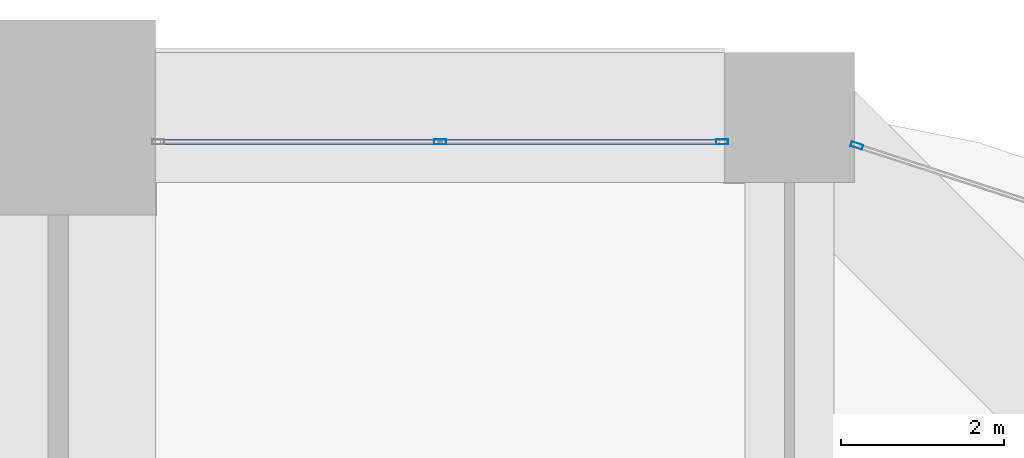
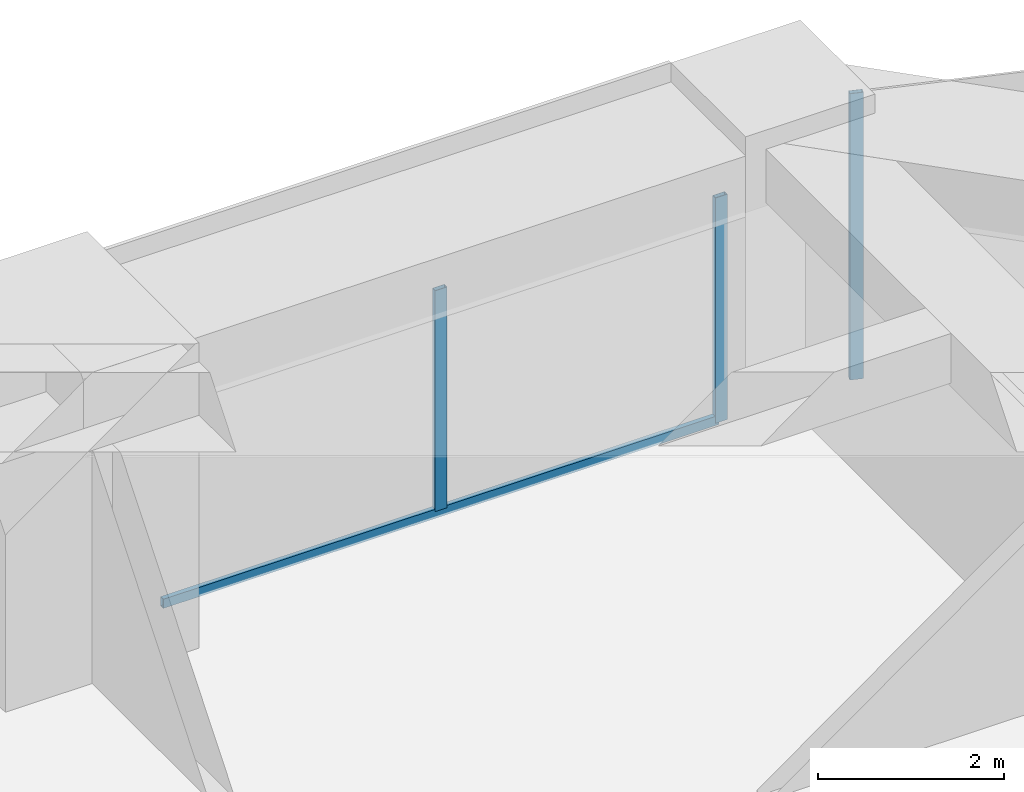
# One storey, part 35 of 42: 4 members, 2 elements without a shape of their own.
"""IFC4 building model written with IfcOpenShell, lengths in metres."""

from ifc_helpers import new_model, si_unit, direction, frame, origin, origin_2d, place, context, subcontext, project, spatial, hollow_rectangle, extrude, material, material_profile, profile_set, type_object, element, aggregate, save


model = new_model("IFC4")

# Units and contexts
model_context = context("Model", 3, precision=1e-05, world=origin(), true_north=direction((0.0, 1.0)))
body_context = subcontext(model_context, "Body", "Model", "MODEL_VIEW")
ifc_project = project(units=[si_unit("LENGTHUNIT", "METRE"), si_unit("AREAUNIT", "SQUARE_METRE"), si_unit("VOLUMEUNIT", "CUBIC_METRE"), si_unit("PLANEANGLEUNIT", "RADIAN"), si_unit("MASSUNIT", "GRAM", prefix="KILO")], contexts=[model_context])

# Site, building, storey
site_placement = place(None, origin())
site = spatial("IfcSite", under=ifc_project, at=site_placement, CompositionType="ELEMENT")
building_placement = place(site_placement, origin())
building = spatial("IfcBuilding", under=site, at=building_placement, Name="Zorevar Civic Tower", CompositionType="ELEMENT")
storey_placement = place(building_placement, frame((0.0, 0.0, 149.0)))
storey = spatial("IfcBuildingStorey", under=building, at=storey_placement, Name="L36", CompositionType="ELEMENT", Elevation=149.0)

# Curtain wall, members
ifc_material_1 = material(Name="Dark grey solar-control glass in black aluminium frame", Category="aluminium")
curtain_wall_type = type_object("IfcCurtainWallType", Name="Curtain wall CW3 mid zone", PredefinedType="NOTDEFINED", material=ifc_material_1)
curtain_wall_1_placement = place(storey_placement, origin())
curtain_wall_1 = element("IfcCurtainWall", 1, at=curtain_wall_1_placement, inside=storey, type_object=curtain_wall_type, Name="CW3 L36", PredefinedType="NOTDEFINED")
ifc_material_2 = material(Name="Aluminium, black anodised", Category="aluminium")
ifc_material_profile_1 = material_profile(ifc_material_2, hollow_rectangle(XDim=0.06005859375, YDim=0.14990234375, WallThickness=0.00390625, at=origin_2d()), Name="AL 150x60x4")
ifc_profile_set_1 = profile_set([ifc_material_profile_1], Name="Aluminium, black anodised")
member_type_1 = type_object("IfcMemberType", Name="CW3 mullion AL 150x60x4", PredefinedType="MULLION", material=ifc_profile_set_1)
member_1_placement = place(storey_placement, frame((49.699951171875, 44.699951171875, 0.06005859375), z_axis=(0.0, 0.0, 1.0), x_axis=(0.0, 1.0, 0.0)))
member_1 = element("IfcMember", 2, at=member_1_placement, type_object=member_type_1, Name="CW3 mullion 2", PredefinedType="MULLION", context=body_context, shape_type="SweptSolid", body=[
    extrude(hollow_rectangle(XDim=0.06005859375, YDim=0.14990234375, WallThickness=0.00390625, at=origin_2d()), origin(), (0.0, 0.0, 1.0), 2.889892578125),
])
member_2_placement = place(storey_placement, frame((53.169921875, 44.699951171875, 0.0), z_axis=(0.0, 0.0, 1.0), x_axis=(0.0, 1.0, 0.0)))
member_2 = element("IfcMember", 3, at=member_2_placement, type_object=member_type_1, Name="CW3 mullion 3", PredefinedType="MULLION", context=body_context, shape_type="SweptSolid", body=[
    extrude(hollow_rectangle(XDim=0.06005859375, YDim=0.14990234375, WallThickness=0.00390625, at=origin_2d()), origin(), (0.0, 0.0, 1.0), 2.949951171875),
])

# Curtain wall, member
curtain_wall_2_placement = place(storey_placement, origin())
curtain_wall_2 = element("IfcCurtainWall", 4, at=curtain_wall_2_placement, inside=storey, type_object=curtain_wall_type, Name="CW3 L36", PredefinedType="NOTDEFINED")
member_3_placement = place(storey_placement, frame((54.82861328125, 44.65380859375, 0.0), z_axis=(0.0, 0.0, 1.0), x_axis=(-0.310263169163, -0.950650706548, 0.0)))
member_3 = element("IfcMember", 5, at=member_3_placement, type_object=member_type_1, Name="CW3 mullion 2", PredefinedType="MULLION", context=body_context, shape_type="SweptSolid", body=[
    extrude(hollow_rectangle(XDim=0.06005859375, YDim=0.14990234375, WallThickness=0.00390625, at=origin_2d()), origin(), (0.0, 0.0, 1.0), 3.75),
])
aggregate(curtain_wall_2, [member_3])

# Member
ifc_material_3 = material(Name="Aluminium, black anodised", Category="aluminium")
ifc_material_profile_2 = material_profile(ifc_material_3, hollow_rectangle(XDim=0.06005859375, YDim=0.1201171875, WallThickness=0.0029296875, at=origin_2d()), Name="AL 120x60x3")
ifc_profile_set_2 = profile_set([ifc_material_profile_2], Name="Aluminium, black anodised")
member_type_2 = type_object("IfcMemberType", Name="CW3 transom AL 120x60x3", PredefinedType="USERDEFINED", material=ifc_profile_set_2)
member_4_placement = place(storey_placement, frame((46.260009765625, 44.699951171875, 0.030029296875), z_axis=(1.0, 0.0, 0.0), x_axis=(0.0, 1.0, 0.0)))
member_4 = element("IfcMember", 6, at=member_4_placement, type_object=member_type_2, Name="CW3 sill transom", ObjectType="TRANSOM", PredefinedType="USERDEFINED", context=body_context, shape_type="SweptSolid", body=[
    extrude(hollow_rectangle(XDim=0.06005859375, YDim=0.1201171875, WallThickness=0.0029296875, at=origin_2d()), origin(), (0.0, 0.0, 1.0), 6.8798828125),
])

aggregate(curtain_wall_1, [member_1, member_2, member_4])

save(model, "model.ifc")
